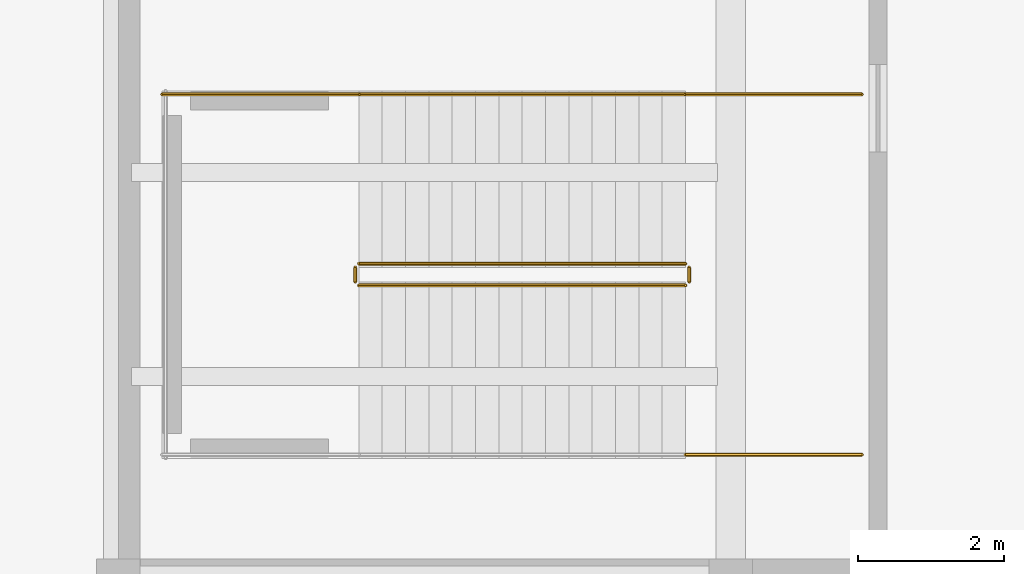
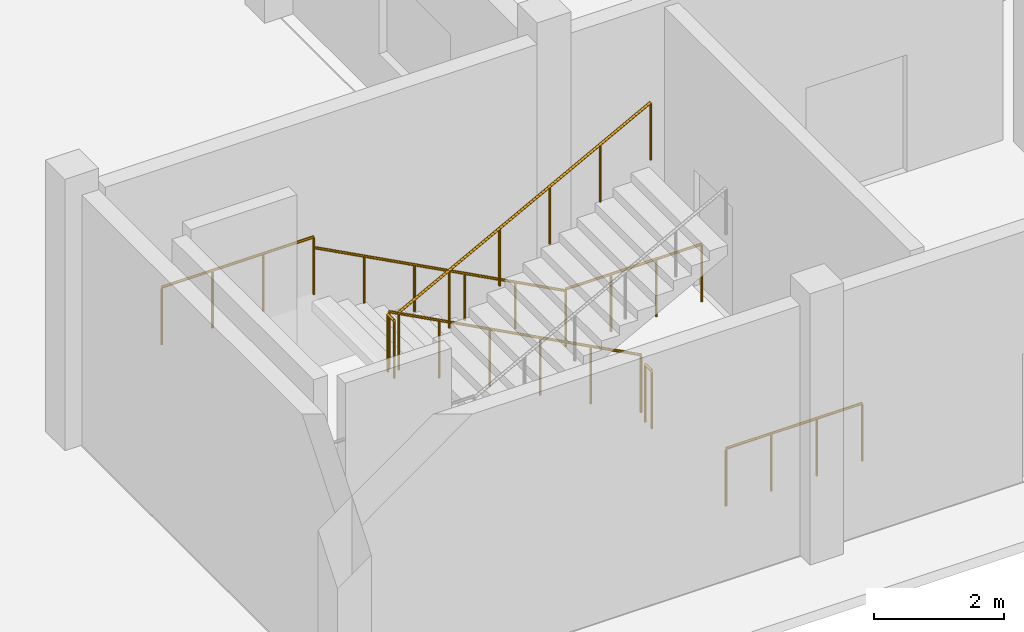
# One storey, part 54 of 64: 8 railings.
"""IFC4 building model written with IfcOpenShell, lengths in metres."""

from ifc_helpers import new_model, si_unit, derived_unit, direction, frame, origin, origin_2d, place, context, subcontext, project, spatial, circle, extrude, material, type_object, element, save


model = new_model("IFC4")

# Units and contexts
model_context = context("Model", 3, precision=1e-05, world=origin(), true_north=direction((0.0, 1.0)))
body_context = subcontext(model_context, "Body", "Model", "MODEL_VIEW")
ifc_project = project(units=[si_unit("LENGTHUNIT", "METRE"), si_unit("AREAUNIT", "SQUARE_METRE"), si_unit("VOLUMEUNIT", "CUBIC_METRE"), si_unit("PLANEANGLEUNIT", "RADIAN"), si_unit("MASSUNIT", "GRAM", prefix="KILO"), derived_unit("THERMALTRANSMITTANCEUNIT", [(si_unit("POWERUNIT", "WATT"), 1), (si_unit("LENGTHUNIT", "METRE"), -2), (si_unit("THERMODYNAMICTEMPERATUREUNIT", "KELVIN"), -1)])], contexts=[model_context])

# Site, building, storey
site_placement = place(None, origin())
site = spatial("IfcSite", under=ifc_project, at=site_placement, CompositionType="ELEMENT")
building_placement = place(site_placement, origin())
building = spatial("IfcBuilding", under=site, at=building_placement, Name="Elbkamm Science Centre", CompositionType="ELEMENT")
storey_placement = place(building_placement, origin())
storey = spatial("IfcBuildingStorey", under=building, at=storey_placement, Name="L00", CompositionType="ELEMENT", Elevation=0.0)

# Railings
ifc_material = material(Name="Stainless steel EN 1.4401", Category="steel")
railing_type_1 = type_object("IfcRailingType", Name="RAIL-GUARD-1100", PredefinedType="GUARDRAIL", material=ifc_material)
railing_1_placement = place(storey_placement, frame((58.179931640625, 4.35009765625, 0.169921875)))
element("IfcRailing", 1, at=railing_1_placement, inside=storey, type_object=railing_type_1, Name="L00 ST-C6 stair guard 1", PredefinedType="GUARDRAIL", context=body_context, shape_type="SweptSolid", body=[
    extrude(circle(Radius=0.02392578125, at=origin_2d()), frame((0.0, 0.0, 1.078125), z_axis=(-0.883104503341, 0.0, 0.469176338042), x_axis=(0.0, -1.0, 0.0)), (0.0, 0.0, 1.0), 5.072998046875),
    extrude(circle(Radius=0.02001953125, at=origin_2d()), origin(), (0.0, 0.0, 1.0), 1.048095703125),
    extrude(circle(Radius=0.02001953125, at=origin_2d()), frame((-0.89599609375, 0.0, 0.47607421875)), (0.0, 0.0, 1.0), 1.048095703125),
    extrude(circle(Radius=0.02001953125, at=origin_2d()), frame((-1.7919921875, 0.0, 0.9521484375)), (0.0, 0.0, 1.0), 1.048095703125),
    extrude(circle(Radius=0.02001953125, at=origin_2d()), frame((-2.68798828125, 0.0, 1.427978515625)), (0.0, 0.0, 1.0), 1.048095703125),
    extrude(circle(Radius=0.02001953125, at=origin_2d()), frame((-3.583984375, 0.0, 1.904052734375)), (0.0, 0.0, 1.0), 1.048095703125),
    extrude(circle(Radius=0.02001953125, at=origin_2d()), frame((-4.47998046875, 0.0, 2.380126953125)), (0.0, 0.0, 1.0), 1.048095703125),
])
railing_2_placement = place(storey_placement, frame((53.64990234375, 4.300048828125, 2.550048828125)))
element("IfcRailing", 2, at=railing_2_placement, inside=storey, type_object=railing_type_1, Name="L00 ST-C6 stair guard 2", PredefinedType="GUARDRAIL", context=body_context, shape_type="SweptSolid", body=[
    extrude(circle(Radius=0.02392578125, at=origin_2d()), frame((0.0, 0.0, 1.078125), z_axis=(0.0, -1.0, 0.0), x_axis=(1.0, 0.0, 0.0)), (0.0, 0.0, 1.0), 0.199951171875),
    extrude(circle(Radius=0.02001953125, at=origin_2d()), origin(), (0.0, 0.0, 1.0), 1.048095703125),
    extrude(circle(Radius=0.02001953125, at=origin_2d()), frame((0.0, -0.199951171875, 0.0)), (0.0, 0.0, 1.0), 1.048095703125),
])
railing_3_placement = place(storey_placement, frame((53.699951171875, 6.669921875, 2.550048828125)))
element("IfcRailing", 3, at=railing_3_placement, inside=storey, type_object=railing_type_1, Name="L00 ST-C6 stair guard 3", PredefinedType="GUARDRAIL", context=body_context, shape_type="SweptSolid", body=[
    extrude(circle(Radius=0.02392578125, at=origin_2d()), frame((0.0, 0.0, 1.078125), z_axis=(-1.0, 0.0, 0.0), x_axis=(0.0, -1.0, 0.0)), (0.0, 0.0, 1.0), 2.699951171875),
    extrude(circle(Radius=0.02001953125, at=origin_2d()), origin(), (0.0, 0.0, 1.0), 1.048095703125),
    extrude(circle(Radius=0.02001953125, at=origin_2d()), frame((-0.89990234375, 0.0, 0.0)), (0.0, 0.0, 1.0), 1.048095703125),
    extrude(circle(Radius=0.02001953125, at=origin_2d()), frame((-1.800048828125, 0.0, 0.0)), (0.0, 0.0, 1.0), 1.048095703125),
    extrude(circle(Radius=0.02001953125, at=origin_2d()), frame((-2.699951171875, 0.0, 0.0)), (0.0, 0.0, 1.0), 1.048095703125),
])
railing_4_placement = place(storey_placement, frame((53.699951171875, 4.050048828125, 2.719970703125)))
element("IfcRailing", 4, at=railing_4_placement, inside=storey, type_object=railing_type_1, Name="L00 ST-C6 stair guard 6", PredefinedType="GUARDRAIL", context=body_context, shape_type="SweptSolid", body=[
    extrude(circle(Radius=0.02392578125, at=origin_2d()), frame((0.0, 0.0, 1.078125), z_axis=(0.883104503341, 0.0, 0.469176338042), x_axis=(0.0, 1.0, 0.0)), (0.0, 0.0, 1.0), 5.072998046875),
    extrude(circle(Radius=0.02001953125, at=origin_2d()), origin(), (0.0, 0.0, 1.0), 1.048095703125),
    extrude(circle(Radius=0.02001953125, at=origin_2d()), frame((0.89599609375, 0.0, 0.47607421875)), (0.0, 0.0, 1.0), 1.048095703125),
    extrude(circle(Radius=0.02001953125, at=origin_2d()), frame((1.7919921875, 0.0, 0.9521484375)), (0.0, 0.0, 1.0), 1.048095703125),
    extrude(circle(Radius=0.02001953125, at=origin_2d()), frame((2.68798828125, 0.0, 1.427978515625)), (0.0, 0.0, 1.0), 1.048095703125),
    extrude(circle(Radius=0.02001953125, at=origin_2d()), frame((3.583984375, 0.0, 1.904052734375)), (0.0, 0.0, 1.0), 1.048095703125),
    extrude(circle(Radius=0.02001953125, at=origin_2d()), frame((4.47998046875, 0.0, 2.380126953125)), (0.0, 0.0, 1.0), 1.048095703125),
])
railing_5_placement = place(storey_placement, frame((58.22998046875, 4.300048828125, 0.0)))
element("IfcRailing", 5, at=railing_5_placement, inside=storey, type_object=railing_type_1, Name="L00 ST-C6 stair guard 7", PredefinedType="GUARDRAIL", context=body_context, shape_type="SweptSolid", body=[
    extrude(circle(Radius=0.02392578125, at=origin_2d()), frame((0.0, 0.0, 1.078125), z_axis=(0.0, -1.0, 0.0), x_axis=(1.0, 0.0, 0.0)), (0.0, 0.0, 1.0), 0.199951171875),
    extrude(circle(Radius=0.02001953125, at=origin_2d()), origin(), (0.0, 0.0, 1.0), 1.048095703125),
    extrude(circle(Radius=0.02001953125, at=origin_2d()), frame((0.0, -0.199951171875, 0.0)), (0.0, 0.0, 1.0), 1.048095703125),
])
for number, where, name in (
    (6, (60.60009765625, 6.669921875, 0.0), "L00 ST-C6 stair guard 8"),
    (7, (60.60009765625, 1.72998046875, 0.0), "L00 ST-C6 stair guard 9"),
):
    element("IfcRailing", number, at=place(storey_placement, frame(where)), inside=storey, type_object=railing_type_1, Name=name, PredefinedType="GUARDRAIL", context=body_context, shape_type="SweptSolid", body=[
        extrude(circle(Radius=0.02392578125, at=origin_2d()), frame((0.0, 0.0, 1.078125), z_axis=(-1.0, 0.0, 0.0), x_axis=(0.0, -1.0, 0.0)), (0.0, 0.0, 1.0), 2.420166015625),
        extrude(circle(Radius=0.02001953125, at=origin_2d()), origin(), (0.0, 0.0, 1.0), 1.048095703125),
        extrude(circle(Radius=0.02001953125, at=origin_2d()), frame((-0.806640625, 0.0, 0.0)), (0.0, 0.0, 1.0), 1.048095703125),
        extrude(circle(Radius=0.02001953125, at=origin_2d()), frame((-1.613525390625, 0.0, 0.0)), (0.0, 0.0, 1.0), 1.048095703125),
        extrude(circle(Radius=0.02001953125, at=origin_2d()), frame((-2.420166015625, 0.0, 0.0)), (0.0, 0.0, 1.0), 1.048095703125),
    ])
railing_type_2 = type_object("IfcRailingType", Name="RAIL-HAND-900", PredefinedType="HANDRAIL", material=ifc_material)
railing_6_placement = place(storey_placement, frame((58.179931640625, 6.669921875, 0.169921875)))
element("IfcRailing", 8, at=railing_6_placement, inside=storey, type_object=railing_type_2, Name="L00 ST-C6 stair handrail 1", PredefinedType="HANDRAIL", context=body_context, shape_type="SweptSolid", body=[
    extrude(circle(Radius=0.02392578125, at=origin_2d()), frame((0.0, 0.0, 0.8779296875), z_axis=(-0.883104503341, 0.0, 0.469176338042), x_axis=(0.0, -1.0, 0.0)), (0.0, 0.0, 1.0), 5.072998046875),
    extrude(circle(Radius=0.02001953125, at=origin_2d()), origin(), (0.0, 0.0, 1.0), 0.847900390625),
    extrude(circle(Radius=0.02001953125, at=origin_2d()), frame((-0.89599609375, 0.0, 0.47607421875)), (0.0, 0.0, 1.0), 0.847900390625),
    extrude(circle(Radius=0.02001953125, at=origin_2d()), frame((-1.7919921875, 0.0, 0.9521484375)), (0.0, 0.0, 1.0), 0.847900390625),
    extrude(circle(Radius=0.02001953125, at=origin_2d()), frame((-2.68798828125, 0.0, 1.427978515625)), (0.0, 0.0, 1.0), 0.847900390625),
    extrude(circle(Radius=0.02001953125, at=origin_2d()), frame((-3.583984375, 0.0, 1.904052734375)), (0.0, 0.0, 1.0), 0.847900390625),
    extrude(circle(Radius=0.02001953125, at=origin_2d()), frame((-4.47998046875, 0.0, 2.380126953125)), (0.0, 0.0, 1.0), 0.847900390625),
])

save(model, "model.ifc")
